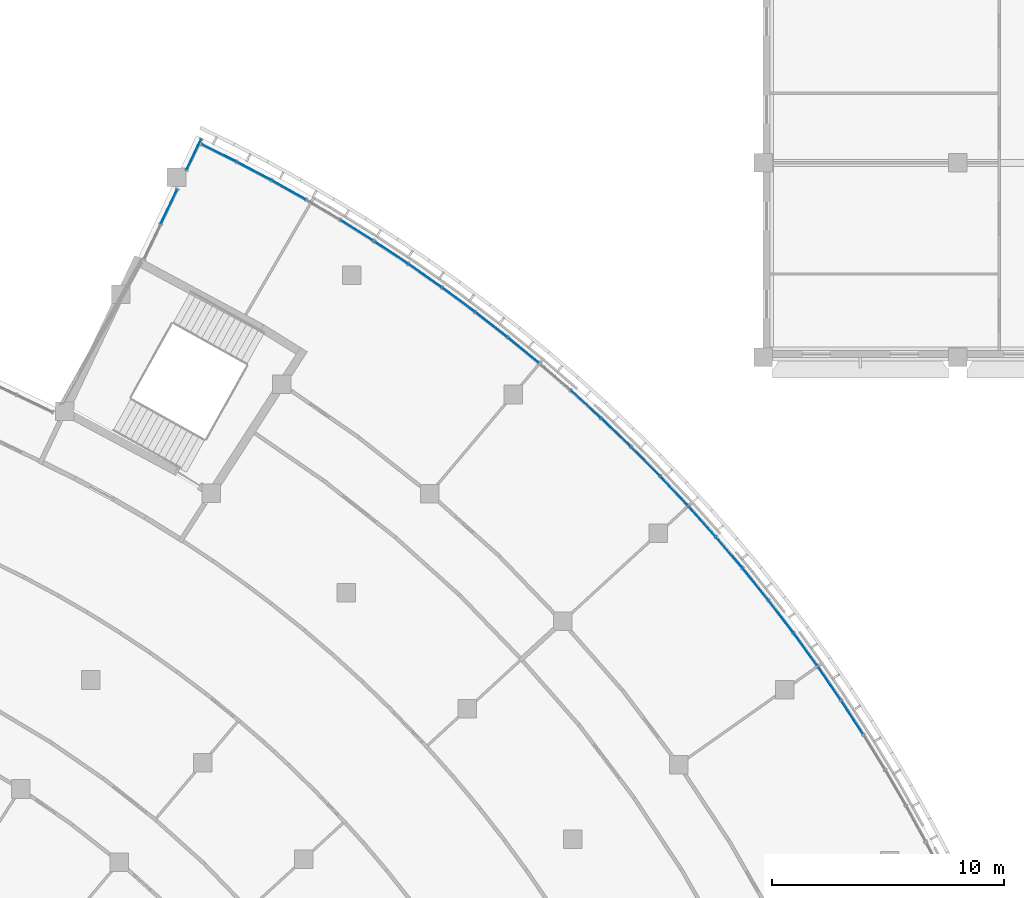
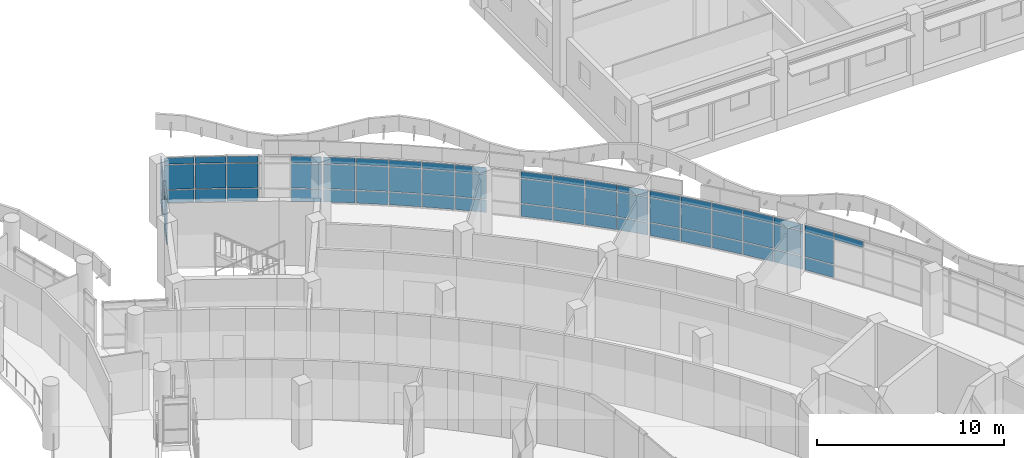
# One storey, part 36 of 109: 64 plates, 7 elements without a shape of their own.
"""IFC4 building model written with IfcOpenShell, lengths in metres."""

from ifc_helpers import new_model, si_unit, direction, frame, origin, origin_2d, place, context, subcontext, project, spatial, rectangle, extrude, material, layer, layer_set, type_object, element, aggregate, save


model = new_model("IFC4")

# Units and contexts
model_context = context("Model", 3, precision=1e-05, world=origin(), true_north=direction((0.0, 1.0)))
body_context = subcontext(model_context, "Body", "Model", "MODEL_VIEW")
ifc_project = project(units=[si_unit("LENGTHUNIT", "METRE"), si_unit("AREAUNIT", "SQUARE_METRE"), si_unit("VOLUMEUNIT", "CUBIC_METRE"), si_unit("PLANEANGLEUNIT", "RADIAN"), si_unit("MASSUNIT", "GRAM", prefix="KILO")], contexts=[model_context])

# Site, building, storey
site_placement = place(None, origin())
site = spatial("IfcSite", under=ifc_project, at=site_placement, CompositionType="ELEMENT")
building_placement = place(site_placement, origin())
building = spatial("IfcBuilding", under=site, at=building_placement, Name="Bougainvillea Quay General Hospital", CompositionType="ELEMENT")
storey_placement = place(building_placement, frame((0.0, 0.0, 12.60009765625)))
storey = spatial("IfcBuildingStorey", under=building, at=storey_placement, Name="L02", CompositionType="ELEMENT", Elevation=12.60009765625)

# Curtain wall, plates
ifc_material_1 = material(Name="Aluminium curtain wall system, powder-coated glazed", Category="aluminium")
curtain_wall_type_1 = type_object("IfcCurtainWallType", Name="Unitised curtain wall CW-2100", PredefinedType="NOTDEFINED", material=ifc_material_1)
curtain_wall_1_placement = place(storey_placement, origin())
curtain_wall_1 = element("IfcCurtainWall", 1, at=curtain_wall_1_placement, inside=storey, type_object=curtain_wall_type_1, Name="CW-E01 a23b0", PredefinedType="NOTDEFINED")
ifc_material_2 = material(Name="Insulated aluminium spandrel panel, white", Category="aluminium")
ifc_layer_1 = layer(ifc_material_2, 0.028076171875)
ifc_layer_set_1 = layer_set([ifc_layer_1], Name="Insulated aluminium spandrel panel, white")
plate_type_1 = type_object("IfcPlateType", Name="Insulated spandrel panel white 28", PredefinedType="CURTAIN_PANEL", material=ifc_layer_set_1)
plate_1_placement = place(storey_placement, frame((140.313720703125, 84.420654296875, 0.059814453125), z_axis=(0.0, 0.0, 1.0), x_axis=(0.895076038559, -0.445913540048, 0.0)))
plate_1 = element("IfcPlate", 2, at=plate_1_placement, type_object=plate_type_1, Name="CW-E01 spandrel panel 1.1", PredefinedType="CURTAIN_PANEL", context=body_context, shape_type="SweptSolid", body=[
    extrude(rectangle(XDim=1.62255859375, YDim=0.028076171875, at=origin_2d()), origin(), (0.0, 0.0, 1.0), 0.81005859375),
])
plate_2_placement = place(storey_placement, frame((140.313720703125, 84.420654296875, 2.580078125), z_axis=(0.0, 0.0, 1.0), x_axis=(0.895076038559, -0.445913540048, 0.0)))
plate_2 = element("IfcPlate", 3, at=plate_2_placement, type_object=plate_type_1, Name="CW-E01 spandrel panel 1.3", PredefinedType="CURTAIN_PANEL", context=body_context, shape_type="SweptSolid", body=[
    extrude(rectangle(XDim=1.62255859375, YDim=0.028076171875, at=origin_2d()), origin(), (0.0, 0.0, 1.0), 0.409912109375),
])
plate_3_placement = place(storey_placement, frame((141.823486328125, 83.64501953125, 0.059814453125), z_axis=(0.0, 0.0, 1.0), x_axis=(0.883859430833, -0.467752612528, 0.0)))
plate_3 = element("IfcPlate", 4, at=plate_3_placement, type_object=plate_type_1, Name="CW-E01 spandrel panel 2.1", PredefinedType="CURTAIN_PANEL", context=body_context, shape_type="SweptSolid", body=[
    extrude(rectangle(XDim=1.65234375, YDim=0.028076171875, at=origin_2d()), origin(), (0.0, 0.0, 1.0), 0.81005859375),
])
plate_4_placement = place(storey_placement, frame((141.823486328125, 83.64501953125, 2.580078125), z_axis=(0.0, 0.0, 1.0), x_axis=(0.883859430833, -0.467752612528, 0.0)))
plate_4 = element("IfcPlate", 5, at=plate_4_placement, type_object=plate_type_1, Name="CW-E01 spandrel panel 2.3", PredefinedType="CURTAIN_PANEL", context=body_context, shape_type="SweptSolid", body=[
    extrude(rectangle(XDim=1.65234375, YDim=0.028076171875, at=origin_2d()), origin(), (0.0, 0.0, 1.0), 0.409912109375),
])
plate_5_placement = place(storey_placement, frame((143.326904296875, 82.825439453125, 0.059814453125), z_axis=(0.0, 0.0, 1.0), x_axis=(0.872110070325, -0.489309743656, 0.0)))
plate_5 = element("IfcPlate", 6, at=plate_5_placement, type_object=plate_type_1, Name="CW-E01 spandrel panel 3.1", PredefinedType="CURTAIN_PANEL", context=body_context, shape_type="SweptSolid", body=[
    extrude(rectangle(XDim=1.65234375, YDim=0.028076171875, at=origin_2d()), origin(), (0.0, 0.0, 1.0), 0.81005859375),
])
plate_6_placement = place(storey_placement, frame((143.326904296875, 82.825439453125, 2.580078125), z_axis=(0.0, 0.0, 1.0), x_axis=(0.872110070325, -0.489309743656, 0.0)))
plate_6 = element("IfcPlate", 7, at=plate_6_placement, type_object=plate_type_1, Name="CW-E01 spandrel panel 3.3", PredefinedType="CURTAIN_PANEL", context=body_context, shape_type="SweptSolid", body=[
    extrude(rectangle(XDim=1.65234375, YDim=0.028076171875, at=origin_2d()), origin(), (0.0, 0.0, 1.0), 0.409912109375),
])
plate_7_placement = place(storey_placement, frame((146.2587890625, 81.0849609375, 0.059814453125), z_axis=(0.0, 0.0, 1.0), x_axis=(0.847041735837, -0.531526384812, 0.0)))
plate_7 = element("IfcPlate", 8, at=plate_7_placement, type_object=plate_type_1, Name="CW-E01 spandrel panel 5.1", PredefinedType="CURTAIN_PANEL", context=body_context, shape_type="SweptSolid", body=[
    extrude(rectangle(XDim=1.62255859375, YDim=0.028076171875, at=origin_2d()), origin(), (0.0, 0.0, 1.0), 0.81005859375),
])
plate_8_placement = place(storey_placement, frame((146.2587890625, 81.0849609375, 2.580078125), z_axis=(0.0, 0.0, 1.0), x_axis=(0.847041735837, -0.531526384812, 0.0)))
plate_8 = element("IfcPlate", 9, at=plate_8_placement, type_object=plate_type_1, Name="CW-E01 spandrel panel 5.3", PredefinedType="CURTAIN_PANEL", context=body_context, shape_type="SweptSolid", body=[
    extrude(rectangle(XDim=1.62255859375, YDim=0.028076171875, at=origin_2d()), origin(), (0.0, 0.0, 1.0), 0.409912109375),
])

curtain_wall_2_placement = place(storey_placement, origin())
curtain_wall_2 = element("IfcCurtainWall", 10, at=curtain_wall_2_placement, inside=storey, type_object=curtain_wall_type_1, Name="CW-E02 a23b1", PredefinedType="NOTDEFINED")
plate_9_placement = place(storey_placement, frame((147.7509765625, 80.121826171875, 0.059814453125), z_axis=(0.0, 0.0, 1.0), x_axis=(0.833469434396, -0.552565563465, 0.0)))
plate_9 = element("IfcPlate", 11, at=plate_9_placement, type_object=plate_type_1, Name="CW-E02 spandrel panel 1.1", PredefinedType="CURTAIN_PANEL", context=body_context, shape_type="SweptSolid", body=[
    extrude(rectangle(XDim=1.690185546875, YDim=0.028076171875, at=origin_2d()), origin(), (0.0, 0.0, 1.0), 0.81005859375),
])
plate_10_placement = place(storey_placement, frame((147.7509765625, 80.121826171875, 2.580078125), z_axis=(0.0, 0.0, 1.0), x_axis=(0.833469434396, -0.552565563465, 0.0)))
plate_10 = element("IfcPlate", 12, at=plate_10_placement, type_object=plate_type_1, Name="CW-E02 spandrel panel 1.3", PredefinedType="CURTAIN_PANEL", context=body_context, shape_type="SweptSolid", body=[
    extrude(rectangle(XDim=1.690185546875, YDim=0.028076171875, at=origin_2d()), origin(), (0.0, 0.0, 1.0), 0.409912109375),
])
plate_11_placement = place(storey_placement, frame((149.20947265625, 79.127685546875, 0.059814453125), z_axis=(0.0, 0.0, 1.0), x_axis=(0.819095979911, -0.573656496253, 0.0)))
plate_11 = element("IfcPlate", 13, at=plate_11_placement, type_object=plate_type_1, Name="CW-E02 spandrel panel 2.1", PredefinedType="CURTAIN_PANEL", context=body_context, shape_type="SweptSolid", body=[
    extrude(rectangle(XDim=1.72021484375, YDim=0.028076171875, at=origin_2d()), origin(), (0.0, 0.0, 1.0), 0.81005859375),
])
plate_12_placement = place(storey_placement, frame((149.20947265625, 79.127685546875, 2.580078125), z_axis=(0.0, 0.0, 1.0), x_axis=(0.819095979911, -0.573656496253, 0.0)))
plate_12 = element("IfcPlate", 14, at=plate_12_placement, type_object=plate_type_1, Name="CW-E02 spandrel panel 2.3", PredefinedType="CURTAIN_PANEL", context=body_context, shape_type="SweptSolid", body=[
    extrude(rectangle(XDim=1.72021484375, YDim=0.028076171875, at=origin_2d()), origin(), (0.0, 0.0, 1.0), 0.409912109375),
])
plate_13_placement = place(storey_placement, frame((150.654541015625, 78.087890625, 0.059814453125), z_axis=(0.0, 0.0, 1.0), x_axis=(0.804188946942, -0.594373735638, 0.0)))
plate_13 = element("IfcPlate", 15, at=plate_13_placement, type_object=plate_type_1, Name="CW-E02 spandrel panel 3.1", PredefinedType="CURTAIN_PANEL", context=body_context, shape_type="SweptSolid", body=[
    extrude(rectangle(XDim=1.72021484375, YDim=0.028076171875, at=origin_2d()), origin(), (0.0, 0.0, 1.0), 0.81005859375),
])
plate_14_placement = place(storey_placement, frame((150.654541015625, 78.087890625, 2.580078125), z_axis=(0.0, 0.0, 1.0), x_axis=(0.804188946942, -0.594373735638, 0.0)))
plate_14 = element("IfcPlate", 16, at=plate_14_placement, type_object=plate_type_1, Name="CW-E02 spandrel panel 3.3", PredefinedType="CURTAIN_PANEL", context=body_context, shape_type="SweptSolid", body=[
    extrude(rectangle(XDim=1.72021484375, YDim=0.028076171875, at=origin_2d()), origin(), (0.0, 0.0, 1.0), 0.409912109375),
])
plate_15_placement = place(storey_placement, frame((152.072265625, 77.01171875, 0.059814453125), z_axis=(0.0, 0.0, 1.0), x_axis=(0.788758046282, -0.614703785921, 0.0)))
plate_15 = element("IfcPlate", 17, at=plate_15_placement, type_object=plate_type_1, Name="CW-E02 spandrel panel 4.1", PredefinedType="CURTAIN_PANEL", context=body_context, shape_type="SweptSolid", body=[
    extrude(rectangle(XDim=1.72021484375, YDim=0.028076171875, at=origin_2d()), origin(), (0.0, 0.0, 1.0), 0.81005859375),
])
plate_16_placement = place(storey_placement, frame((152.072265625, 77.01171875, 2.580078125), z_axis=(0.0, 0.0, 1.0), x_axis=(0.788758046282, -0.614703785921, 0.0)))
plate_16 = element("IfcPlate", 18, at=plate_16_placement, type_object=plate_type_1, Name="CW-E02 spandrel panel 4.3", PredefinedType="CURTAIN_PANEL", context=body_context, shape_type="SweptSolid", body=[
    extrude(rectangle(XDim=1.72021484375, YDim=0.028076171875, at=origin_2d()), origin(), (0.0, 0.0, 1.0), 0.409912109375),
])
plate_17_placement = place(storey_placement, frame((153.45068359375, 75.9091796875, 0.059814453125), z_axis=(0.0, 0.0, 1.0), x_axis=(0.772813329985, -0.634633403626, 0.0)))
plate_17 = element("IfcPlate", 19, at=plate_17_placement, type_object=plate_type_1, Name="CW-E02 spandrel panel 5.1", PredefinedType="CURTAIN_PANEL", context=body_context, shape_type="SweptSolid", body=[
    extrude(rectangle(XDim=1.690185546875, YDim=0.028076171875, at=origin_2d()), origin(), (0.0, 0.0, 1.0), 0.81005859375),
])
plate_18_placement = place(storey_placement, frame((153.45068359375, 75.9091796875, 2.580078125), z_axis=(0.0, 0.0, 1.0), x_axis=(0.772813329985, -0.634633403626, 0.0)))
plate_18 = element("IfcPlate", 20, at=plate_18_placement, type_object=plate_type_1, Name="CW-E02 spandrel panel 5.3", PredefinedType="CURTAIN_PANEL", context=body_context, shape_type="SweptSolid", body=[
    extrude(rectangle(XDim=1.690185546875, YDim=0.028076171875, at=origin_2d()), origin(), (0.0, 0.0, 1.0), 0.409912109375),
])

curtain_wall_3_placement = place(storey_placement, origin())
curtain_wall_3 = element("IfcCurtainWall", 21, at=curtain_wall_3_placement, inside=storey, type_object=curtain_wall_type_1, Name="CW-E03 a23b2", PredefinedType="NOTDEFINED")
plate_19_placement = place(storey_placement, frame((156.155029296875, 73.571044921875, 0.059814453125), z_axis=(0.0, 0.0, 1.0), x_axis=(0.739424325484, -0.673239680116, 0.0)))
plate_19 = element("IfcPlate", 22, at=plate_19_placement, type_object=plate_type_1, Name="CW-E03 spandrel panel 2.1", PredefinedType="CURTAIN_PANEL", context=body_context, shape_type="SweptSolid", body=[
    extrude(rectangle(XDim=1.72021484375, YDim=0.028076171875, at=origin_2d()), origin(), (0.0, 0.0, 1.0), 0.81005859375),
])
plate_20_placement = place(storey_placement, frame((156.155029296875, 73.571044921875, 2.580078125), z_axis=(0.0, 0.0, 1.0), x_axis=(0.739424325484, -0.673239680116, 0.0)))
plate_20 = element("IfcPlate", 23, at=plate_20_placement, type_object=plate_type_1, Name="CW-E03 spandrel panel 2.3", PredefinedType="CURTAIN_PANEL", context=body_context, shape_type="SweptSolid", body=[
    extrude(rectangle(XDim=1.72021484375, YDim=0.028076171875, at=origin_2d()), origin(), (0.0, 0.0, 1.0), 0.409912109375),
])
plate_21_placement = place(storey_placement, frame((157.455810546875, 72.35595703125, 0.059814453125), z_axis=(0.0, 0.0, 1.0), x_axis=(0.722001787667, -0.69189118986, 0.0)))
plate_21 = element("IfcPlate", 24, at=plate_21_placement, type_object=plate_type_1, Name="CW-E03 spandrel panel 3.1", PredefinedType="CURTAIN_PANEL", context=body_context, shape_type="SweptSolid", body=[
    extrude(rectangle(XDim=1.72021484375, YDim=0.028076171875, at=origin_2d()), origin(), (0.0, 0.0, 1.0), 0.81005859375),
])
plate_22_placement = place(storey_placement, frame((157.455810546875, 72.35595703125, 2.580078125), z_axis=(0.0, 0.0, 1.0), x_axis=(0.722001787667, -0.69189118986, 0.0)))
plate_22 = element("IfcPlate", 25, at=plate_22_placement, type_object=plate_type_1, Name="CW-E03 spandrel panel 3.3", PredefinedType="CURTAIN_PANEL", context=body_context, shape_type="SweptSolid", body=[
    extrude(rectangle(XDim=1.72021484375, YDim=0.028076171875, at=origin_2d()), origin(), (0.0, 0.0, 1.0), 0.409912109375),
])
plate_23_placement = place(storey_placement, frame((158.72509765625, 71.10791015625, 0.059814453125), z_axis=(0.0, 0.0, 1.0), x_axis=(0.704108920818, -0.710091985326, 0.0)))
plate_23 = element("IfcPlate", 26, at=plate_23_placement, type_object=plate_type_1, Name="CW-E03 spandrel panel 4.1", PredefinedType="CURTAIN_PANEL", context=body_context, shape_type="SweptSolid", body=[
    extrude(rectangle(XDim=1.72021484375, YDim=0.028076171875, at=origin_2d()), origin(), (0.0, 0.0, 1.0), 0.81005859375),
])
plate_24_placement = place(storey_placement, frame((158.72509765625, 71.10791015625, 2.580078125), z_axis=(0.0, 0.0, 1.0), x_axis=(0.704108920818, -0.710091985326, 0.0)))
plate_24 = element("IfcPlate", 27, at=plate_24_placement, type_object=plate_type_1, Name="CW-E03 spandrel panel 4.3", PredefinedType="CURTAIN_PANEL", context=body_context, shape_type="SweptSolid", body=[
    extrude(rectangle(XDim=1.72021484375, YDim=0.028076171875, at=origin_2d()), origin(), (0.0, 0.0, 1.0), 0.409912109375),
])
plate_25_placement = place(storey_placement, frame((159.9521484375, 69.8388671875, 0.059814453125), z_axis=(0.0, 0.0, 1.0), x_axis=(0.685757380773, -0.727830210087, 0.0)))
plate_25 = element("IfcPlate", 28, at=plate_25_placement, type_object=plate_type_1, Name="CW-E03 spandrel panel 5.1", PredefinedType="CURTAIN_PANEL", context=body_context, shape_type="SweptSolid", body=[
    extrude(rectangle(XDim=1.690185546875, YDim=0.028076171875, at=origin_2d()), origin(), (0.0, 0.0, 1.0), 0.81005859375),
])
plate_26_placement = place(storey_placement, frame((159.9521484375, 69.8388671875, 2.580078125), z_axis=(0.0, 0.0, 1.0), x_axis=(0.685757380773, -0.727830210087, 0.0)))
plate_26 = element("IfcPlate", 29, at=plate_26_placement, type_object=plate_type_1, Name="CW-E03 spandrel panel 5.3", PredefinedType="CURTAIN_PANEL", context=body_context, shape_type="SweptSolid", body=[
    extrude(rectangle(XDim=1.690185546875, YDim=0.028076171875, at=origin_2d()), origin(), (0.0, 0.0, 1.0), 0.409912109375),
])

curtain_wall_4_placement = place(storey_placement, origin())
curtain_wall_4 = element("IfcCurtainWall", 30, at=curtain_wall_4_placement, inside=storey, type_object=curtain_wall_type_1, Name="CW-E04 a23b3", PredefinedType="NOTDEFINED")
plate_27_placement = place(storey_placement, frame((161.176513671875, 68.505859375, 0.059814453125), z_axis=(0.0, 0.0, 1.0), x_axis=(0.666959122159, -0.745094309044, 0.0)))
plate_27 = element("IfcPlate", 31, at=plate_27_placement, type_object=plate_type_1, Name="CW-E04 spandrel panel 1.1", PredefinedType="CURTAIN_PANEL", context=body_context, shape_type="SweptSolid", body=[
    extrude(rectangle(XDim=1.690185546875, YDim=0.028076171875, at=origin_2d()), origin(), (0.0, 0.0, 1.0), 0.81005859375),
])
plate_28_placement = place(storey_placement, frame((161.176513671875, 68.505859375, 2.580078125), z_axis=(0.0, 0.0, 1.0), x_axis=(0.666959122159, -0.745094309044, 0.0)))
plate_28 = element("IfcPlate", 32, at=plate_28_placement, type_object=plate_type_1, Name="CW-E04 spandrel panel 1.3", PredefinedType="CURTAIN_PANEL", context=body_context, shape_type="SweptSolid", body=[
    extrude(rectangle(XDim=1.690185546875, YDim=0.028076171875, at=origin_2d()), origin(), (0.0, 0.0, 1.0), 0.409912109375),
])
plate_29_placement = place(storey_placement, frame((162.336669921875, 67.175537109375, 0.059814453125), z_axis=(0.0, 0.0, 1.0), x_axis=(0.647726390606, -0.761873035953, 0.0)))
plate_29 = element("IfcPlate", 33, at=plate_29_placement, type_object=plate_type_1, Name="CW-E04 spandrel panel 2.1", PredefinedType="CURTAIN_PANEL", context=body_context, shape_type="SweptSolid", body=[
    extrude(rectangle(XDim=1.72021484375, YDim=0.028076171875, at=origin_2d()), origin(), (0.0, 0.0, 1.0), 0.81005859375),
])
plate_30_placement = place(storey_placement, frame((162.336669921875, 67.175537109375, 2.580078125), z_axis=(0.0, 0.0, 1.0), x_axis=(0.647726390606, -0.761873035953, 0.0)))
plate_30 = element("IfcPlate", 34, at=plate_30_placement, type_object=plate_type_1, Name="CW-E04 spandrel panel 2.3", PredefinedType="CURTAIN_PANEL", context=body_context, shape_type="SweptSolid", body=[
    extrude(rectangle(XDim=1.72021484375, YDim=0.028076171875, at=origin_2d()), origin(), (0.0, 0.0, 1.0), 0.409912109375),
])
plate_31_placement = place(storey_placement, frame((163.47216796875, 65.8046875, 0.059814453125), z_axis=(0.0, 0.0, 1.0), x_axis=(0.62807171477, -0.778155460757, 0.0)))
plate_31 = element("IfcPlate", 35, at=plate_31_placement, type_object=plate_type_1, Name="CW-E04 spandrel panel 3.1", PredefinedType="CURTAIN_PANEL", context=body_context, shape_type="SweptSolid", body=[
    extrude(rectangle(XDim=1.72021484375, YDim=0.028076171875, at=origin_2d()), origin(), (0.0, 0.0, 1.0), 0.81005859375),
])
plate_32_placement = place(storey_placement, frame((163.47216796875, 65.8046875, 2.580078125), z_axis=(0.0, 0.0, 1.0), x_axis=(0.62807171477, -0.778155460757, 0.0)))
plate_32 = element("IfcPlate", 36, at=plate_32_placement, type_object=plate_type_1, Name="CW-E04 spandrel panel 3.3", PredefinedType="CURTAIN_PANEL", context=body_context, shape_type="SweptSolid", body=[
    extrude(rectangle(XDim=1.72021484375, YDim=0.028076171875, at=origin_2d()), origin(), (0.0, 0.0, 1.0), 0.409912109375),
])
plate_33_placement = place(storey_placement, frame((164.572509765625, 64.4052734375, 0.059814453125), z_axis=(0.0, 0.0, 1.0), x_axis=(0.608007898172, -0.793930976698, 0.0)))
plate_33 = element("IfcPlate", 37, at=plate_33_placement, type_object=plate_type_1, Name="CW-E04 spandrel panel 4.1", PredefinedType="CURTAIN_PANEL", context=body_context, shape_type="SweptSolid", body=[
    extrude(rectangle(XDim=1.72021484375, YDim=0.028076171875, at=origin_2d()), origin(), (0.0, 0.0, 1.0), 0.81005859375),
])
plate_34_placement = place(storey_placement, frame((164.572509765625, 64.4052734375, 2.580078125), z_axis=(0.0, 0.0, 1.0), x_axis=(0.608007898172, -0.793930976698, 0.0)))
plate_34 = element("IfcPlate", 38, at=plate_34_placement, type_object=plate_type_1, Name="CW-E04 spandrel panel 4.3", PredefinedType="CURTAIN_PANEL", context=body_context, shape_type="SweptSolid", body=[
    extrude(rectangle(XDim=1.72021484375, YDim=0.028076171875, at=origin_2d()), origin(), (0.0, 0.0, 1.0), 0.409912109375),
])
plate_35_placement = place(storey_placement, frame((165.6279296875, 62.990478515625, 0.059814453125), z_axis=(0.0, 0.0, 1.0), x_axis=(0.587548010856, -0.809189307232, 0.0)))
plate_35 = element("IfcPlate", 39, at=plate_35_placement, type_object=plate_type_1, Name="CW-E04 spandrel panel 5.1", PredefinedType="CURTAIN_PANEL", context=body_context, shape_type="SweptSolid", body=[
    extrude(rectangle(XDim=1.690185546875, YDim=0.028076171875, at=origin_2d()), origin(), (0.0, 0.0, 1.0), 0.81005859375),
])
plate_36_placement = place(storey_placement, frame((165.6279296875, 62.990478515625, 2.580078125), z_axis=(0.0, 0.0, 1.0), x_axis=(0.587548010856, -0.809189307232, 0.0)))
plate_36 = element("IfcPlate", 40, at=plate_36_placement, type_object=plate_type_1, Name="CW-E04 spandrel panel 5.3", PredefinedType="CURTAIN_PANEL", context=body_context, shape_type="SweptSolid", body=[
    extrude(rectangle(XDim=1.690185546875, YDim=0.028076171875, at=origin_2d()), origin(), (0.0, 0.0, 1.0), 0.409912109375),
])

curtain_wall_5_placement = place(storey_placement, origin())
curtain_wall_5 = element("IfcCurtainWall", 41, at=curtain_wall_5_placement, inside=storey, type_object=curtain_wall_type_1, Name="CW-E05 a23b4", PredefinedType="NOTDEFINED")
plate_37_placement = place(storey_placement, frame((166.672607421875, 61.512451171875, 0.059814453125), z_axis=(0.0, 0.0, 1.0), x_axis=(0.566705380876, -0.823920512723, 0.0)))
plate_37 = element("IfcPlate", 42, at=plate_37_placement, type_object=plate_type_1, Name="CW-E05 spandrel panel 1.1", PredefinedType="CURTAIN_PANEL", context=body_context, shape_type="SweptSolid", body=[
    extrude(rectangle(XDim=1.690185546875, YDim=0.028076171875, at=origin_2d()), origin(), (0.0, 0.0, 1.0), 0.81005859375),
])
plate_38_placement = place(storey_placement, frame((166.672607421875, 61.512451171875, 2.580078125), z_axis=(0.0, 0.0, 1.0), x_axis=(0.566705380876, -0.823920512723, 0.0)))
plate_38 = element("IfcPlate", 43, at=plate_38_placement, type_object=plate_type_1, Name="CW-E05 spandrel panel 1.3", PredefinedType="CURTAIN_PANEL", context=body_context, shape_type="SweptSolid", body=[
    extrude(rectangle(XDim=1.690185546875, YDim=0.028076171875, at=origin_2d()), origin(), (0.0, 0.0, 1.0), 0.409912109375),
])
plate_39_placement = place(storey_placement, frame((167.654052734375, 60.04541015625, 2.580078125), z_axis=(0.0, 0.0, 1.0), x_axis=(0.545493585615, -0.838114996915, 0.0)))
plate_39 = element("IfcPlate", 44, at=plate_39_placement, type_object=plate_type_1, Name="CW-E05 spandrel panel 2.3", PredefinedType="CURTAIN_PANEL", context=body_context, shape_type="SweptSolid", body=[
    extrude(rectangle(XDim=1.72021484375, YDim=0.028076171875, at=origin_2d()), origin(), (0.0, 0.0, 1.0), 0.409912109375),
])

curtain_wall_type_2 = type_object("IfcCurtainWallType", Name="Unitised curtain wall CW-1580", PredefinedType="NOTDEFINED", material=ifc_material_1)
curtain_wall_6_placement = place(storey_placement, origin())
curtain_wall_6 = element("IfcCurtainWall", 45, at=curtain_wall_6_placement, inside=storey, type_object=curtain_wall_type_2, Name="CW-AE 00", PredefinedType="NOTDEFINED")
plate_40_placement = place(storey_placement, frame((139.2216796875, 84.3603515625, 0.059814453125), z_axis=(0.0, 0.0, 1.0), x_axis=(-0.430530445105, -0.902576055431, 0.0)))
plate_40 = element("IfcPlate", 46, at=plate_40_placement, type_object=plate_type_1, Name="CW-AE spandrel panel 1.1", PredefinedType="CURTAIN_PANEL", context=body_context, shape_type="SweptSolid", body=[
    extrude(rectangle(XDim=1.459716796875, YDim=0.028076171875, at=origin_2d()), origin(), (0.0, 0.0, 1.0), 0.81005859375),
])
plate_41_placement = place(storey_placement, frame((139.2216796875, 84.3603515625, 2.580078125), z_axis=(0.0, 0.0, 1.0), x_axis=(-0.430530445105, -0.902576055431, 0.0)))
plate_41 = element("IfcPlate", 47, at=plate_41_placement, type_object=plate_type_1, Name="CW-AE spandrel panel 1.3", PredefinedType="CURTAIN_PANEL", context=body_context, shape_type="SweptSolid", body=[
    extrude(rectangle(XDim=1.459716796875, YDim=0.028076171875, at=origin_2d()), origin(), (0.0, 0.0, 1.0), 0.409912109375),
])

curtain_wall_type_3 = type_object("IfcCurtainWallType", Name="Unitised curtain wall CW-1703", PredefinedType="NOTDEFINED", material=ifc_material_1)
curtain_wall_7_placement = place(storey_placement, origin())
curtain_wall_7 = element("IfcCurtainWall", 48, at=curtain_wall_7_placement, inside=storey, type_object=curtain_wall_type_3, Name="CW-AE 01", PredefinedType="NOTDEFINED")
plate_42_placement = place(storey_placement, frame((138.146728515625, 82.107177734375, 0.059814453125), z_axis=(0.0, 0.0, 1.0), x_axis=(-0.430530445105, -0.902576055431, 0.0)))
plate_42 = element("IfcPlate", 49, at=plate_42_placement, type_object=plate_type_1, Name="CW-AE spandrel panel 1.1", PredefinedType="CURTAIN_PANEL", context=body_context, shape_type="SweptSolid", body=[
    extrude(rectangle(XDim=1.61279296875, YDim=0.028076171875, at=origin_2d()), origin(), (0.0, 0.0, 1.0), 0.81005859375),
])
plate_43_placement = place(storey_placement, frame((138.146728515625, 82.107177734375, 2.580078125), z_axis=(0.0, 0.0, 1.0), x_axis=(-0.430530445105, -0.902576055431, 0.0)))
plate_43 = element("IfcPlate", 50, at=plate_43_placement, type_object=plate_type_1, Name="CW-AE spandrel panel 1.3", PredefinedType="CURTAIN_PANEL", context=body_context, shape_type="SweptSolid", body=[
    extrude(rectangle(XDim=1.61279296875, YDim=0.028076171875, at=origin_2d()), origin(), (0.0, 0.0, 1.0), 0.409912109375),
])

# Plate
ifc_material_3 = material(Name="Low-e laminated glass, solar control", Category="glass")
ifc_layer_2 = layer(ifc_material_3, 0.028076171875)
ifc_layer_set_2 = layer_set([ifc_layer_2], Name="Low-e laminated glass, solar control")
plate_type_2 = type_object("IfcPlateType", Name="Low-e laminated vision glass 28", PredefinedType="CURTAIN_PANEL", material=ifc_layer_set_2)
plate_44_placement = place(storey_placement, frame((140.313720703125, 84.420654296875, 0.9296875), z_axis=(0.0, 0.0, 1.0), x_axis=(0.895076038559, -0.445913540048, 0.0)))
plate_44 = element("IfcPlate", 51, at=plate_44_placement, type_object=plate_type_2, Name="CW-E01 vision glass panel 1.2", PredefinedType="CURTAIN_PANEL", context=body_context, shape_type="SweptSolid", body=[
    extrude(rectangle(XDim=1.62255859375, YDim=0.028076171875, at=origin_2d()), origin(), (0.0, 0.0, 1.0), 1.590087890625),
])

plate_45_placement = place(storey_placement, frame((141.823486328125, 83.64501953125, 0.9296875), z_axis=(0.0, 0.0, 1.0), x_axis=(0.883859430833, -0.467752612528, 0.0)))
plate_45 = element("IfcPlate", 52, at=plate_45_placement, type_object=plate_type_2, Name="CW-E01 vision glass panel 2.2", PredefinedType="CURTAIN_PANEL", context=body_context, shape_type="SweptSolid", body=[
    extrude(rectangle(XDim=1.65234375, YDim=0.028076171875, at=origin_2d()), origin(), (0.0, 0.0, 1.0), 1.590087890625),
])

plate_46_placement = place(storey_placement, frame((143.326904296875, 82.825439453125, 0.9296875), z_axis=(0.0, 0.0, 1.0), x_axis=(0.872110070325, -0.489309743656, 0.0)))
plate_46 = element("IfcPlate", 53, at=plate_46_placement, type_object=plate_type_2, Name="CW-E01 vision glass panel 3.2", PredefinedType="CURTAIN_PANEL", context=body_context, shape_type="SweptSolid", body=[
    extrude(rectangle(XDim=1.65234375, YDim=0.028076171875, at=origin_2d()), origin(), (0.0, 0.0, 1.0), 1.590087890625),
])

plate_47_placement = place(storey_placement, frame((146.2587890625, 81.0849609375, 0.9296875), z_axis=(0.0, 0.0, 1.0), x_axis=(0.847041735837, -0.531526384812, 0.0)))
plate_47 = element("IfcPlate", 54, at=plate_47_placement, type_object=plate_type_2, Name="CW-E01 vision glass panel 5.2", PredefinedType="CURTAIN_PANEL", context=body_context, shape_type="SweptSolid", body=[
    extrude(rectangle(XDim=1.62255859375, YDim=0.028076171875, at=origin_2d()), origin(), (0.0, 0.0, 1.0), 1.590087890625),
])

aggregate(curtain_wall_1, [plate_1, plate_44, plate_2, plate_3, plate_45, plate_4, plate_5, plate_46, plate_6, plate_7, plate_47, plate_8])

plate_48_placement = place(storey_placement, frame((147.7509765625, 80.121826171875, 0.9296875), z_axis=(0.0, 0.0, 1.0), x_axis=(0.833469434396, -0.552565563465, 0.0)))
plate_48 = element("IfcPlate", 55, at=plate_48_placement, type_object=plate_type_2, Name="CW-E02 vision glass panel 1.2", PredefinedType="CURTAIN_PANEL", context=body_context, shape_type="SweptSolid", body=[
    extrude(rectangle(XDim=1.690185546875, YDim=0.028076171875, at=origin_2d()), origin(), (0.0, 0.0, 1.0), 1.590087890625),
])

plate_49_placement = place(storey_placement, frame((149.20947265625, 79.127685546875, 0.9296875), z_axis=(0.0, 0.0, 1.0), x_axis=(0.819095979911, -0.573656496253, 0.0)))
plate_49 = element("IfcPlate", 56, at=plate_49_placement, type_object=plate_type_2, Name="CW-E02 vision glass panel 2.2", PredefinedType="CURTAIN_PANEL", context=body_context, shape_type="SweptSolid", body=[
    extrude(rectangle(XDim=1.72021484375, YDim=0.028076171875, at=origin_2d()), origin(), (0.0, 0.0, 1.0), 1.590087890625),
])

plate_50_placement = place(storey_placement, frame((150.654541015625, 78.087890625, 0.9296875), z_axis=(0.0, 0.0, 1.0), x_axis=(0.804188946942, -0.594373735638, 0.0)))
plate_50 = element("IfcPlate", 57, at=plate_50_placement, type_object=plate_type_2, Name="CW-E02 vision glass panel 3.2", PredefinedType="CURTAIN_PANEL", context=body_context, shape_type="SweptSolid", body=[
    extrude(rectangle(XDim=1.72021484375, YDim=0.028076171875, at=origin_2d()), origin(), (0.0, 0.0, 1.0), 1.590087890625),
])

plate_51_placement = place(storey_placement, frame((152.072265625, 77.01171875, 0.9296875), z_axis=(0.0, 0.0, 1.0), x_axis=(0.788758046282, -0.614703785921, 0.0)))
plate_51 = element("IfcPlate", 58, at=plate_51_placement, type_object=plate_type_2, Name="CW-E02 vision glass panel 4.2", PredefinedType="CURTAIN_PANEL", context=body_context, shape_type="SweptSolid", body=[
    extrude(rectangle(XDim=1.72021484375, YDim=0.028076171875, at=origin_2d()), origin(), (0.0, 0.0, 1.0), 1.590087890625),
])

plate_52_placement = place(storey_placement, frame((153.45068359375, 75.9091796875, 0.9296875), z_axis=(0.0, 0.0, 1.0), x_axis=(0.772813329985, -0.634633403626, 0.0)))
plate_52 = element("IfcPlate", 59, at=plate_52_placement, type_object=plate_type_2, Name="CW-E02 vision glass panel 5.2", PredefinedType="CURTAIN_PANEL", context=body_context, shape_type="SweptSolid", body=[
    extrude(rectangle(XDim=1.690185546875, YDim=0.028076171875, at=origin_2d()), origin(), (0.0, 0.0, 1.0), 1.590087890625),
])

aggregate(curtain_wall_2, [plate_9, plate_48, plate_10, plate_11, plate_49, plate_12, plate_13, plate_50, plate_14, plate_15, plate_51, plate_16, plate_17, plate_52, plate_18])

plate_53_placement = place(storey_placement, frame((156.155029296875, 73.571044921875, 0.9296875), z_axis=(0.0, 0.0, 1.0), x_axis=(0.739424325484, -0.673239680116, 0.0)))
plate_53 = element("IfcPlate", 60, at=plate_53_placement, type_object=plate_type_2, Name="CW-E03 vision glass panel 2.2", PredefinedType="CURTAIN_PANEL", context=body_context, shape_type="SweptSolid", body=[
    extrude(rectangle(XDim=1.72021484375, YDim=0.028076171875, at=origin_2d()), origin(), (0.0, 0.0, 1.0), 1.590087890625),
])

plate_54_placement = place(storey_placement, frame((157.455810546875, 72.35595703125, 0.9296875), z_axis=(0.0, 0.0, 1.0), x_axis=(0.722001787667, -0.69189118986, 0.0)))
plate_54 = element("IfcPlate", 61, at=plate_54_placement, type_object=plate_type_2, Name="CW-E03 vision glass panel 3.2", PredefinedType="CURTAIN_PANEL", context=body_context, shape_type="SweptSolid", body=[
    extrude(rectangle(XDim=1.72021484375, YDim=0.028076171875, at=origin_2d()), origin(), (0.0, 0.0, 1.0), 1.590087890625),
])

plate_55_placement = place(storey_placement, frame((158.72509765625, 71.10791015625, 0.9296875), z_axis=(0.0, 0.0, 1.0), x_axis=(0.704108920818, -0.710091985326, 0.0)))
plate_55 = element("IfcPlate", 62, at=plate_55_placement, type_object=plate_type_2, Name="CW-E03 vision glass panel 4.2", PredefinedType="CURTAIN_PANEL", context=body_context, shape_type="SweptSolid", body=[
    extrude(rectangle(XDim=1.72021484375, YDim=0.028076171875, at=origin_2d()), origin(), (0.0, 0.0, 1.0), 1.590087890625),
])

plate_56_placement = place(storey_placement, frame((159.9521484375, 69.8388671875, 0.9296875), z_axis=(0.0, 0.0, 1.0), x_axis=(0.685757380773, -0.727830210087, 0.0)))
plate_56 = element("IfcPlate", 63, at=plate_56_placement, type_object=plate_type_2, Name="CW-E03 vision glass panel 5.2", PredefinedType="CURTAIN_PANEL", context=body_context, shape_type="SweptSolid", body=[
    extrude(rectangle(XDim=1.690185546875, YDim=0.028076171875, at=origin_2d()), origin(), (0.0, 0.0, 1.0), 1.590087890625),
])

aggregate(curtain_wall_3, [plate_19, plate_53, plate_20, plate_21, plate_54, plate_22, plate_23, plate_55, plate_24, plate_25, plate_56, plate_26])

plate_57_placement = place(storey_placement, frame((161.176513671875, 68.505859375, 0.9296875), z_axis=(0.0, 0.0, 1.0), x_axis=(0.666959122159, -0.745094309044, 0.0)))
plate_57 = element("IfcPlate", 64, at=plate_57_placement, type_object=plate_type_2, Name="CW-E04 vision glass panel 1.2", PredefinedType="CURTAIN_PANEL", context=body_context, shape_type="SweptSolid", body=[
    extrude(rectangle(XDim=1.690185546875, YDim=0.028076171875, at=origin_2d()), origin(), (0.0, 0.0, 1.0), 1.590087890625),
])

plate_58_placement = place(storey_placement, frame((162.336669921875, 67.175537109375, 0.9296875), z_axis=(0.0, 0.0, 1.0), x_axis=(0.647726390606, -0.761873035953, 0.0)))
plate_58 = element("IfcPlate", 65, at=plate_58_placement, type_object=plate_type_2, Name="CW-E04 vision glass panel 2.2", PredefinedType="CURTAIN_PANEL", context=body_context, shape_type="SweptSolid", body=[
    extrude(rectangle(XDim=1.72021484375, YDim=0.028076171875, at=origin_2d()), origin(), (0.0, 0.0, 1.0), 1.590087890625),
])

plate_59_placement = place(storey_placement, frame((163.47216796875, 65.8046875, 0.9296875), z_axis=(0.0, 0.0, 1.0), x_axis=(0.62807171477, -0.778155460757, 0.0)))
plate_59 = element("IfcPlate", 66, at=plate_59_placement, type_object=plate_type_2, Name="CW-E04 vision glass panel 3.2", PredefinedType="CURTAIN_PANEL", context=body_context, shape_type="SweptSolid", body=[
    extrude(rectangle(XDim=1.72021484375, YDim=0.028076171875, at=origin_2d()), origin(), (0.0, 0.0, 1.0), 1.590087890625),
])

plate_60_placement = place(storey_placement, frame((164.572509765625, 64.4052734375, 0.9296875), z_axis=(0.0, 0.0, 1.0), x_axis=(0.608007898172, -0.793930976698, 0.0)))
plate_60 = element("IfcPlate", 67, at=plate_60_placement, type_object=plate_type_2, Name="CW-E04 vision glass panel 4.2", PredefinedType="CURTAIN_PANEL", context=body_context, shape_type="SweptSolid", body=[
    extrude(rectangle(XDim=1.72021484375, YDim=0.028076171875, at=origin_2d()), origin(), (0.0, 0.0, 1.0), 1.590087890625),
])

plate_61_placement = place(storey_placement, frame((165.6279296875, 62.990478515625, 0.9296875), z_axis=(0.0, 0.0, 1.0), x_axis=(0.587548010856, -0.809189307232, 0.0)))
plate_61 = element("IfcPlate", 68, at=plate_61_placement, type_object=plate_type_2, Name="CW-E04 vision glass panel 5.2", PredefinedType="CURTAIN_PANEL", context=body_context, shape_type="SweptSolid", body=[
    extrude(rectangle(XDim=1.690185546875, YDim=0.028076171875, at=origin_2d()), origin(), (0.0, 0.0, 1.0), 1.590087890625),
])

aggregate(curtain_wall_4, [plate_27, plate_57, plate_28, plate_29, plate_58, plate_30, plate_31, plate_59, plate_32, plate_33, plate_60, plate_34, plate_35, plate_61, plate_36])

plate_62_placement = place(storey_placement, frame((166.672607421875, 61.512451171875, 0.9296875), z_axis=(0.0, 0.0, 1.0), x_axis=(0.566705380876, -0.823920512723, 0.0)))
plate_62 = element("IfcPlate", 69, at=plate_62_placement, type_object=plate_type_2, Name="CW-E05 vision glass panel 1.2", PredefinedType="CURTAIN_PANEL", context=body_context, shape_type="SweptSolid", body=[
    extrude(rectangle(XDim=1.690185546875, YDim=0.028076171875, at=origin_2d()), origin(), (0.0, 0.0, 1.0), 1.590087890625),
])

aggregate(curtain_wall_5, [plate_37, plate_62, plate_38, plate_39])

plate_63_placement = place(storey_placement, frame((139.2216796875, 84.3603515625, 0.9296875), z_axis=(0.0, 0.0, 1.0), x_axis=(-0.430530445105, -0.902576055431, 0.0)))
plate_63 = element("IfcPlate", 70, at=plate_63_placement, type_object=plate_type_2, Name="CW-AE vision glass panel 1.2", PredefinedType="CURTAIN_PANEL", context=body_context, shape_type="SweptSolid", body=[
    extrude(rectangle(XDim=1.459716796875, YDim=0.028076171875, at=origin_2d()), origin(), (0.0, 0.0, 1.0), 1.590087890625),
])

aggregate(curtain_wall_6, [plate_40, plate_63, plate_41])

plate_64_placement = place(storey_placement, frame((138.146728515625, 82.107177734375, 0.9296875), z_axis=(0.0, 0.0, 1.0), x_axis=(-0.430530445105, -0.902576055431, 0.0)))
plate_64 = element("IfcPlate", 71, at=plate_64_placement, type_object=plate_type_2, Name="CW-AE vision glass panel 1.2", PredefinedType="CURTAIN_PANEL", context=body_context, shape_type="SweptSolid", body=[
    extrude(rectangle(XDim=1.61279296875, YDim=0.028076171875, at=origin_2d()), origin(), (0.0, 0.0, 1.0), 1.590087890625),
])

aggregate(curtain_wall_7, [plate_42, plate_64, plate_43])

save(model, "model.ifc")
